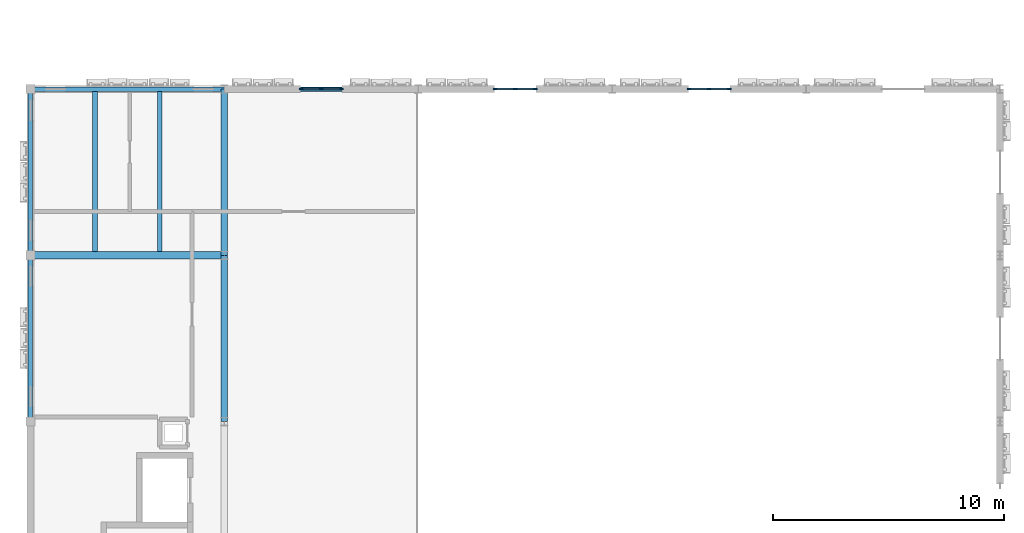
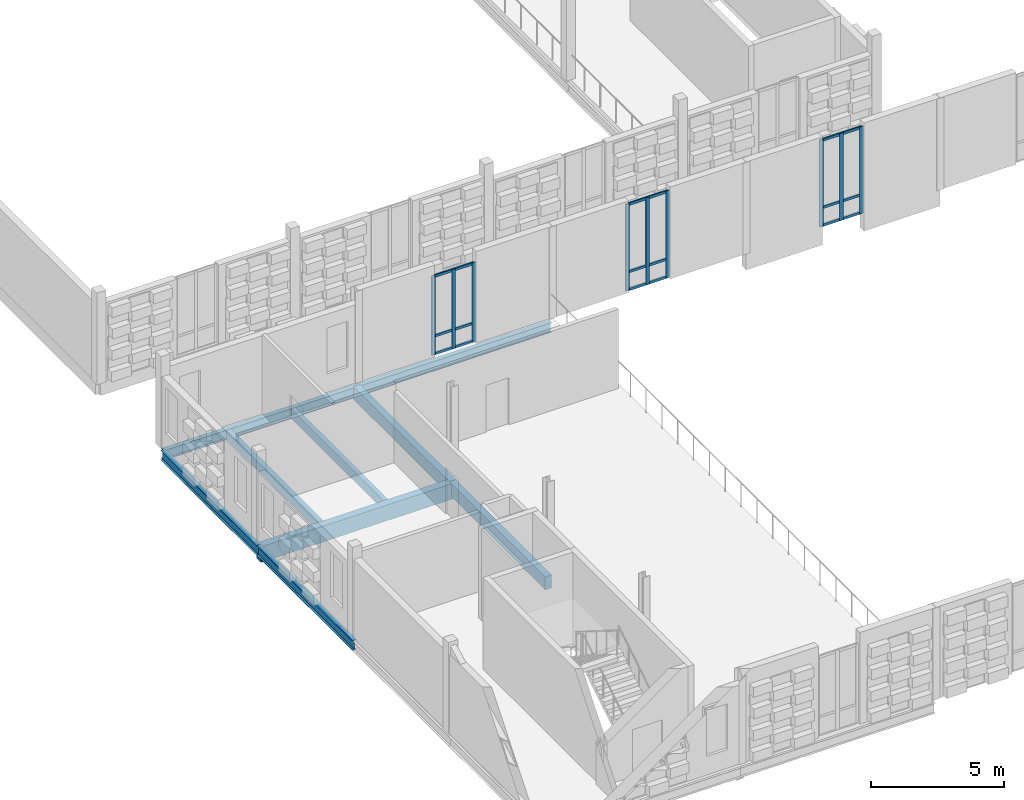
# One storey, part 6 of 81: 18 members, 9 beams, 3 elements without a shape of their own.
"""IFC4 building model written with IfcOpenShell, lengths in metres."""

from ifc_helpers import new_model, si_unit, direction, frame, origin, origin_2d, place, context, subcontext, project, spatial, rectangle, i_section, extrude, material, material_profile, profile_set, type_object, element, aggregate, save


model = new_model("IFC4")

# Units and contexts
model_context = context("Model", 3, precision=1e-05, world=origin(), true_north=direction((0.0, 1.0)))
body_context = subcontext(model_context, "Body", "Model", "MODEL_VIEW")
ifc_project = project(units=[si_unit("LENGTHUNIT", "METRE"), si_unit("AREAUNIT", "SQUARE_METRE"), si_unit("VOLUMEUNIT", "CUBIC_METRE"), si_unit("PLANEANGLEUNIT", "RADIAN"), si_unit("MASSUNIT", "GRAM", prefix="KILO")], contexts=[model_context])

# Site, building, storey
site_placement = place(None, origin())
site = spatial("IfcSite", under=ifc_project, at=site_placement, CompositionType="ELEMENT")
building_placement = place(site_placement, origin())
building = spatial("IfcBuilding", under=site, at=building_placement, Name="Kahlenmark Community Centre", CompositionType="ELEMENT")
storey_placement = place(building_placement, frame((0.0, 0.0, 9.60009765625)))
storey = spatial("IfcBuildingStorey", under=building, at=storey_placement, Name="L02", CompositionType="ELEMENT", Elevation=9.60009765625)

# Beams
ifc_material_1 = material(Name="Glulam GL32h", Category="wood")
ifc_material_profile_1 = material_profile(ifc_material_1, rectangle(XDim=0.280029296875, YDim=0.60009765625, at=origin_2d()), Name="GL32h 280x600")
ifc_profile_set_1 = profile_set([ifc_material_profile_1], Name="Glulam GL32h")
beam_type_1 = type_object("IfcBeamType", Name="BT-BEAM-GL32h280x600", PredefinedType="BEAM", material=ifc_profile_set_1)
beam_1_placement = place(storey_placement, frame((12.39990234375, 23.199951171875, -0.5400390625), z_axis=(0.0, 1.0, 0.0), x_axis=(-1.0, 0.0, 0.0)))
element("IfcBeam", 1, at=beam_1_placement, inside=storey, type_object=beam_type_1, Name="L02 beam BG-GL32h280x600", PredefinedType="BEAM", context=body_context, shape_type="SweptSolid", body=[
    extrude(rectangle(XDim=0.280029296875, YDim=0.60009765625, at=origin_2d()), origin(), (0.0, 0.0, 1.0), 7.199951171875),
])
beam_2_placement = place(storey_placement, frame((12.39990234375, 30.39990234375, -0.5400390625), z_axis=(0.0, 1.0, 0.0), x_axis=(-1.0, 0.0, 0.0)))
element("IfcBeam", 2, at=beam_2_placement, inside=storey, type_object=beam_type_1, Name="L02 beam BG-GL32h280x600", PredefinedType="BEAM", context=body_context, shape_type="SweptSolid", body=[
    extrude(rectangle(XDim=0.280029296875, YDim=0.60009765625, at=origin_2d()), origin(), (0.0, 0.0, 1.0), 7.2001953125),
])
ifc_material_profile_2 = material_profile(ifc_material_1, rectangle(XDim=0.320068359375, YDim=0.719970703125, at=origin_2d()), Name="GL32h 320x720")
ifc_profile_set_2 = profile_set([ifc_material_profile_2], Name="Glulam GL32h")
beam_type_2 = type_object("IfcBeamType", Name="BT-BEAM-GL32h320x720", PredefinedType="BEAM", material=ifc_profile_set_2)
beam_3_placement = place(storey_placement, frame((4.0, 30.39990234375, -0.60009765625), z_axis=(1.0, 0.0, 0.0), x_axis=(0.0, 1.0, 0.0)))
element("IfcBeam", 3, at=beam_3_placement, inside=storey, type_object=beam_type_2, Name="L02 beam BG-GL32h320x720", PredefinedType="BEAM", context=body_context, shape_type="SweptSolid", body=[
    extrude(rectangle(XDim=0.320068359375, YDim=0.719970703125, at=origin_2d()), origin(), (0.0, 0.0, 1.0), 8.39990234375),
])
ifc_material_2 = material(Name="Glulam GL28h", Category="wood")
ifc_material_profile_3 = material_profile(ifc_material_2, rectangle(XDim=0.199951171875, YDim=0.43994140625, at=origin_2d()), Name="GL28h 200x440")
ifc_profile_set_3 = profile_set([ifc_material_profile_3], Name="Glulam GL28h")
beam_type_3 = type_object("IfcBeamType", Name="BT-JOIST-GL28h200x440", PredefinedType="JOIST", material=ifc_profile_set_3)
for number, where, z_axis, x_axis, name in (
    (4, (6.800048828125, 30.55810546875, -0.460205078125), (0.0, 1.0, 0.0), (-1.0, 0.0, 0.0), "L02 joist BJ-GL28h200x440"),
    (5, (9.60009765625, 30.55810546875, -0.460205078125), (0.0, 1.0, 0.0), (-1.0, 0.0, 0.0), "L02 joist BJ-GL28h200x440"),
):
    element("IfcBeam", number, at=place(storey_placement, frame(where, z_axis=z_axis, x_axis=x_axis)), inside=storey, type_object=beam_type_3, Name=name, PredefinedType="JOIST", context=body_context, shape_type="SweptSolid", body=[
        extrude(rectangle(XDim=0.199951171875, YDim=0.43994140625, at=origin_2d()), origin(), (0.0, 0.0, 1.0), 6.948974609375),
    ])
ifc_material_3 = material(Name="Steel S355", Category="steel")
ifc_material_profile_4 = material_profile(ifc_material_3, i_section(OverallWidth=0.18994140625, OverallDepth=0.449951171875, WebThickness=0.009521484375, FlangeThickness=0.0146484375, at=origin_2d()), Name="IPE 450")
ifc_profile_set_4 = profile_set([ifc_material_profile_4], Name="Steel S355")
beam_type_4 = type_object("IfcBeamType", Name="BT-SPANDREL-IPE450", PredefinedType="SPANDREL", material=ifc_profile_set_4)
beam_4_placement = place(storey_placement, frame((4.0, 37.60009765625, -0.465087890625), z_axis=(1.0, 0.0, 0.0), x_axis=(0.0, 1.0, 0.0)))
element("IfcBeam", 6, at=beam_4_placement, inside=storey, type_object=beam_type_4, Name="L02 spandrel SP-IPE450", PredefinedType="SPANDREL", context=body_context, shape_type="SweptSolid", body=[
    extrude(i_section(OverallWidth=0.18994140625, OverallDepth=0.449951171875, WebThickness=0.009521484375, FlangeThickness=0.0146484375, at=origin_2d()), origin(), (0.0, 0.0, 1.0), 8.39990234375),
])
beam_5_placement = place(storey_placement, frame((12.39990234375, 37.60009765625, -0.465087890625), z_axis=(1.0, 0.0, 0.0), x_axis=(0.0, 1.0, 0.0)))
element("IfcBeam", 7, at=beam_5_placement, inside=storey, type_object=beam_type_4, Name="L02 spandrel SP-IPE450", PredefinedType="SPANDREL", context=body_context, shape_type="SweptSolid", body=[
    extrude(i_section(OverallWidth=0.18994140625, OverallDepth=0.449951171875, WebThickness=0.009521484375, FlangeThickness=0.0146484375, at=origin_2d()), origin(), (0.0, 0.0, 1.0), 8.400146484375),
])
beam_6_placement = place(storey_placement, frame((4.0, 23.199951171875, -0.465087890625), z_axis=(0.0, 1.0, 0.0), x_axis=(-1.0, 0.0, 0.0)))
element("IfcBeam", 8, at=beam_6_placement, inside=storey, type_object=beam_type_4, Name="L02 spandrel SP-IPE450", PredefinedType="SPANDREL", context=body_context, shape_type="SweptSolid", body=[
    extrude(i_section(OverallWidth=0.18994140625, OverallDepth=0.449951171875, WebThickness=0.009521484375, FlangeThickness=0.0146484375, at=origin_2d()), origin(), (0.0, 0.0, 1.0), 7.199951171875),
])
beam_7_placement = place(storey_placement, frame((4.0, 30.39990234375, -0.465087890625), z_axis=(0.0, 1.0, 0.0), x_axis=(-1.0, 0.0, 0.0)))
element("IfcBeam", 9, at=beam_7_placement, inside=storey, type_object=beam_type_4, Name="L02 spandrel SP-IPE450", PredefinedType="SPANDREL", context=body_context, shape_type="SweptSolid", body=[
    extrude(i_section(OverallWidth=0.18994140625, OverallDepth=0.449951171875, WebThickness=0.009521484375, FlangeThickness=0.0146484375, at=origin_2d()), origin(), (0.0, 0.0, 1.0), 7.2001953125),
])

# Curtain wall, members
ifc_material_4 = material(Name="Anodised aluminium unitised curtain wall", Category="aluminium")
curtain_wall_type_1 = type_object("IfcCurtainWallType", Name="CWT-UNIT-180X363", PredefinedType="USERDEFINED", material=ifc_material_4)
curtain_wall_1_placement = place(storey_placement, origin())
curtain_wall_1 = element("IfcCurtainWall", 10, at=curtain_wall_1_placement, inside=storey, type_object=curtain_wall_type_1, Name="Unitised curtain wall CW-062", ObjectType="UNITISED CURTAIN WALL", PredefinedType="USERDEFINED")
ifc_material_5 = material(Name="Anodised aluminium 6063-T6", Category="aluminium")
ifc_material_profile_5 = material_profile(ifc_material_5, rectangle(XDim=0.06005859375, YDim=0.159912109375, at=origin_2d()), Name="ALU MULLION 60x160")
ifc_profile_set_5 = profile_set([ifc_material_profile_5], Name="Anodised aluminium 6063-T6")
member_type_1 = type_object("IfcMemberType", Name="MT-MUL-160", PredefinedType="MULLION", material=ifc_profile_set_5)
member_1_placement = place(storey_placement, frame((17.469970703125, 37.60009765625, 0.0), z_axis=(0.0, 0.0, 1.0), x_axis=(0.0, -1.0, 0.0)))
member_1 = element("IfcMember", 11, at=member_1_placement, type_object=member_type_1, Name="CW-062 mullion 1", PredefinedType="MULLION", context=body_context, shape_type="SweptSolid", body=[
    extrude(rectangle(XDim=0.06005859375, YDim=0.159912109375, at=origin_2d()), origin(), (0.0, 0.0, 1.0), 3.6298828125),
])
member_2_placement = place(storey_placement, frame((16.60009765625, 37.60009765625, 0.0), z_axis=(0.0, 0.0, 1.0), x_axis=(0.0, -1.0, 0.0)))
member_2 = element("IfcMember", 12, at=member_2_placement, type_object=member_type_1, Name="CW-062 mullion 2", PredefinedType="MULLION", context=body_context, shape_type="SweptSolid", body=[
    extrude(rectangle(XDim=0.06005859375, YDim=0.159912109375, at=origin_2d()), origin(), (0.0, 0.0, 1.0), 3.6298828125),
])
member_3_placement = place(storey_placement, frame((15.72998046875, 37.60009765625, 0.0), z_axis=(0.0, 0.0, 1.0), x_axis=(0.0, -1.0, 0.0)))
member_3 = element("IfcMember", 13, at=member_3_placement, type_object=member_type_1, Name="CW-062 mullion 3", PredefinedType="MULLION", context=body_context, shape_type="SweptSolid", body=[
    extrude(rectangle(XDim=0.06005859375, YDim=0.159912109375, at=origin_2d()), origin(), (0.0, 0.0, 1.0), 3.6298828125),
])

curtain_wall_type_2 = type_object("IfcCurtainWallType", Name="CWT-UNIT-180X398", PredefinedType="USERDEFINED", material=ifc_material_4)
curtain_wall_2_placement = place(storey_placement, origin())
curtain_wall_2 = element("IfcCurtainWall", 14, at=curtain_wall_2_placement, inside=storey, type_object=curtain_wall_type_2, Name="Unitised curtain wall CW-063", ObjectType="UNITISED CURTAIN WALL", PredefinedType="USERDEFINED")
member_4_placement = place(storey_placement, frame((25.8701171875, 37.60009765625, 0.0), z_axis=(0.0, 0.0, 1.0), x_axis=(0.0, -1.0, 0.0)))
member_4 = element("IfcMember", 15, at=member_4_placement, type_object=member_type_1, Name="CW-063 mullion 1", PredefinedType="MULLION", context=body_context, shape_type="SweptSolid", body=[
    extrude(rectangle(XDim=0.06005859375, YDim=0.159912109375, at=origin_2d()), origin(), (0.0, 0.0, 1.0), 3.97998046875),
])
member_5_placement = place(storey_placement, frame((25.0, 37.60009765625, 0.0), z_axis=(0.0, 0.0, 1.0), x_axis=(0.0, -1.0, 0.0)))
member_5 = element("IfcMember", 16, at=member_5_placement, type_object=member_type_1, Name="CW-063 mullion 2", PredefinedType="MULLION", context=body_context, shape_type="SweptSolid", body=[
    extrude(rectangle(XDim=0.06005859375, YDim=0.159912109375, at=origin_2d()), origin(), (0.0, 0.0, 1.0), 3.97998046875),
])
member_6_placement = place(storey_placement, frame((24.1298828125, 37.60009765625, 0.0), z_axis=(0.0, 0.0, 1.0), x_axis=(0.0, -1.0, 0.0)))
member_6 = element("IfcMember", 17, at=member_6_placement, type_object=member_type_1, Name="CW-063 mullion 3", PredefinedType="MULLION", context=body_context, shape_type="SweptSolid", body=[
    extrude(rectangle(XDim=0.06005859375, YDim=0.159912109375, at=origin_2d()), origin(), (0.0, 0.0, 1.0), 3.97998046875),
])

curtain_wall_3_placement = place(storey_placement, origin())
curtain_wall_3 = element("IfcCurtainWall", 18, at=curtain_wall_3_placement, inside=storey, type_object=curtain_wall_type_2, Name="Unitised curtain wall CW-064", ObjectType="UNITISED CURTAIN WALL", PredefinedType="USERDEFINED")
member_7_placement = place(storey_placement, frame((34.27001953125, 37.60009765625, 0.0), z_axis=(0.0, 0.0, 1.0), x_axis=(0.0, -1.0, 0.0)))
member_7 = element("IfcMember", 19, at=member_7_placement, type_object=member_type_1, Name="CW-064 mullion 1", PredefinedType="MULLION", context=body_context, shape_type="SweptSolid", body=[
    extrude(rectangle(XDim=0.06005859375, YDim=0.159912109375, at=origin_2d()), origin(), (0.0, 0.0, 1.0), 3.97998046875),
])
member_8_placement = place(storey_placement, frame((33.39990234375, 37.60009765625, 0.0), z_axis=(0.0, 0.0, 1.0), x_axis=(0.0, -1.0, 0.0)))
member_8 = element("IfcMember", 20, at=member_8_placement, type_object=member_type_1, Name="CW-064 mullion 2", PredefinedType="MULLION", context=body_context, shape_type="SweptSolid", body=[
    extrude(rectangle(XDim=0.06005859375, YDim=0.159912109375, at=origin_2d()), origin(), (0.0, 0.0, 1.0), 3.97998046875),
])
member_9_placement = place(storey_placement, frame((32.530029296875, 37.60009765625, 0.0), z_axis=(0.0, 0.0, 1.0), x_axis=(0.0, -1.0, 0.0)))
member_9 = element("IfcMember", 21, at=member_9_placement, type_object=member_type_1, Name="CW-064 mullion 3", PredefinedType="MULLION", context=body_context, shape_type="SweptSolid", body=[
    extrude(rectangle(XDim=0.06005859375, YDim=0.159912109375, at=origin_2d()), origin(), (0.0, 0.0, 1.0), 3.97998046875),
])

# Member
ifc_material_profile_6 = material_profile(ifc_material_5, rectangle(XDim=0.06005859375, YDim=0.1201171875, at=origin_2d()), Name="ALU TRANSOM 60x120")
ifc_profile_set_6 = profile_set([ifc_material_profile_6], Name="Anodised aluminium 6063-T6")
member_type_2 = type_object("IfcMemberType", Name="MT-TRN-120", PredefinedType="USERDEFINED", material=ifc_profile_set_6)
member_10_placement = place(storey_placement, frame((17.469970703125, 37.60009765625, 0.039794921875), z_axis=(-1.0, 0.0, 0.0), x_axis=(0.0, -1.0, 0.0)))
member_10 = element("IfcMember", 22, at=member_10_placement, type_object=member_type_2, Name="CW-062 transom 1", ObjectType="TRANSOM", PredefinedType="USERDEFINED", context=body_context, shape_type="SweptSolid", body=[
    extrude(rectangle(XDim=0.06005859375, YDim=0.1201171875, at=origin_2d()), origin(), (0.0, 0.0, 1.0), 1.739990234375),
])

member_11_placement = place(storey_placement, frame((17.469970703125, 37.60009765625, 0.849853515625), z_axis=(-1.0, 0.0, 0.0), x_axis=(0.0, -1.0, 0.0)))
member_11 = element("IfcMember", 23, at=member_11_placement, type_object=member_type_2, Name="CW-062 transom 2", ObjectType="TRANSOM", PredefinedType="USERDEFINED", context=body_context, shape_type="SweptSolid", body=[
    extrude(rectangle(XDim=0.06005859375, YDim=0.1201171875, at=origin_2d()), origin(), (0.0, 0.0, 1.0), 1.739990234375),
])

member_12_placement = place(storey_placement, frame((17.469970703125, 37.60009765625, 3.58984375), z_axis=(-1.0, 0.0, 0.0), x_axis=(0.0, -1.0, 0.0)))
member_12 = element("IfcMember", 24, at=member_12_placement, type_object=member_type_2, Name="CW-062 transom 3", ObjectType="TRANSOM", PredefinedType="USERDEFINED", context=body_context, shape_type="SweptSolid", body=[
    extrude(rectangle(XDim=0.06005859375, YDim=0.1201171875, at=origin_2d()), origin(), (0.0, 0.0, 1.0), 1.739990234375),
])

aggregate(curtain_wall_1, [member_1, member_2, member_3, member_10, member_11, member_12])

member_13_placement = place(storey_placement, frame((25.8701171875, 37.60009765625, 0.039794921875), z_axis=(-1.0, 0.0, 0.0), x_axis=(0.0, -1.0, 0.0)))
member_13 = element("IfcMember", 25, at=member_13_placement, type_object=member_type_2, Name="CW-063 transom 1", ObjectType="TRANSOM", PredefinedType="USERDEFINED", context=body_context, shape_type="SweptSolid", body=[
    extrude(rectangle(XDim=0.06005859375, YDim=0.1201171875, at=origin_2d()), origin(), (0.0, 0.0, 1.0), 1.740234375),
])

member_14_placement = place(storey_placement, frame((25.8701171875, 37.60009765625, 0.849853515625), z_axis=(-1.0, 0.0, 0.0), x_axis=(0.0, -1.0, 0.0)))
member_14 = element("IfcMember", 26, at=member_14_placement, type_object=member_type_2, Name="CW-063 transom 2", ObjectType="TRANSOM", PredefinedType="USERDEFINED", context=body_context, shape_type="SweptSolid", body=[
    extrude(rectangle(XDim=0.06005859375, YDim=0.1201171875, at=origin_2d()), origin(), (0.0, 0.0, 1.0), 1.740234375),
])

member_15_placement = place(storey_placement, frame((25.8701171875, 37.60009765625, 3.93994140625), z_axis=(-1.0, 0.0, 0.0), x_axis=(0.0, -1.0, 0.0)))
member_15 = element("IfcMember", 27, at=member_15_placement, type_object=member_type_2, Name="CW-063 transom 3", ObjectType="TRANSOM", PredefinedType="USERDEFINED", context=body_context, shape_type="SweptSolid", body=[
    extrude(rectangle(XDim=0.06005859375, YDim=0.1201171875, at=origin_2d()), origin(), (0.0, 0.0, 1.0), 1.740234375),
])

aggregate(curtain_wall_2, [member_4, member_5, member_6, member_13, member_14, member_15])

member_16_placement = place(storey_placement, frame((34.27001953125, 37.60009765625, 0.039794921875), z_axis=(-1.0, 0.0, 0.0), x_axis=(0.0, -1.0, 0.0)))
member_16 = element("IfcMember", 28, at=member_16_placement, type_object=member_type_2, Name="CW-064 transom 1", ObjectType="TRANSOM", PredefinedType="USERDEFINED", context=body_context, shape_type="SweptSolid", body=[
    extrude(rectangle(XDim=0.06005859375, YDim=0.1201171875, at=origin_2d()), origin(), (0.0, 0.0, 1.0), 1.739990234375),
])

member_17_placement = place(storey_placement, frame((34.27001953125, 37.60009765625, 0.849853515625), z_axis=(-1.0, 0.0, 0.0), x_axis=(0.0, -1.0, 0.0)))
member_17 = element("IfcMember", 29, at=member_17_placement, type_object=member_type_2, Name="CW-064 transom 2", ObjectType="TRANSOM", PredefinedType="USERDEFINED", context=body_context, shape_type="SweptSolid", body=[
    extrude(rectangle(XDim=0.06005859375, YDim=0.1201171875, at=origin_2d()), origin(), (0.0, 0.0, 1.0), 1.739990234375),
])

member_18_placement = place(storey_placement, frame((34.27001953125, 37.60009765625, 3.93994140625), z_axis=(-1.0, 0.0, 0.0), x_axis=(0.0, -1.0, 0.0)))
member_18 = element("IfcMember", 30, at=member_18_placement, type_object=member_type_2, Name="CW-064 transom 3", ObjectType="TRANSOM", PredefinedType="USERDEFINED", context=body_context, shape_type="SweptSolid", body=[
    extrude(rectangle(XDim=0.06005859375, YDim=0.1201171875, at=origin_2d()), origin(), (0.0, 0.0, 1.0), 1.739990234375),
])

aggregate(curtain_wall_3, [member_7, member_8, member_9, member_16, member_17, member_18])

save(model, "model.ifc")
